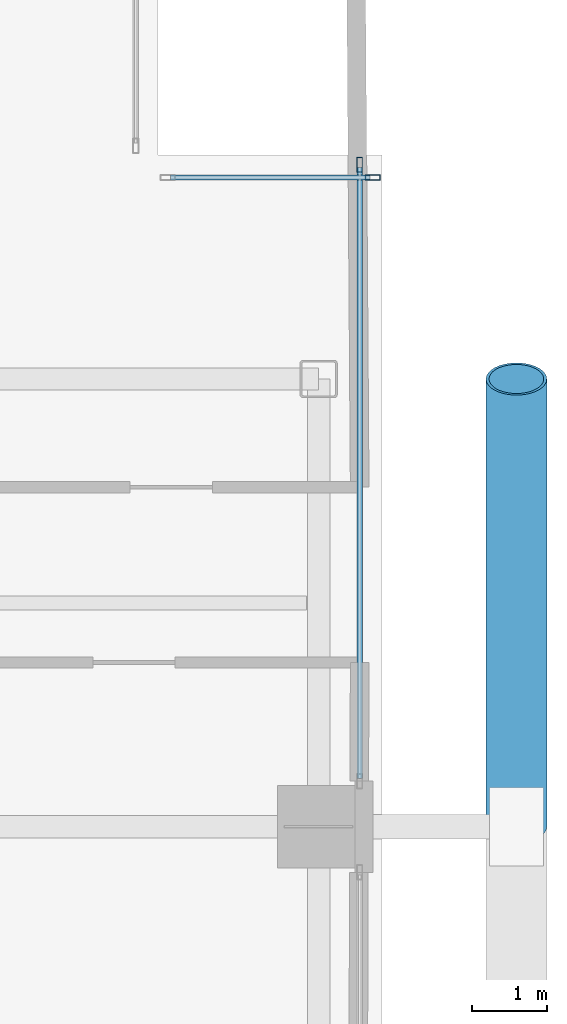
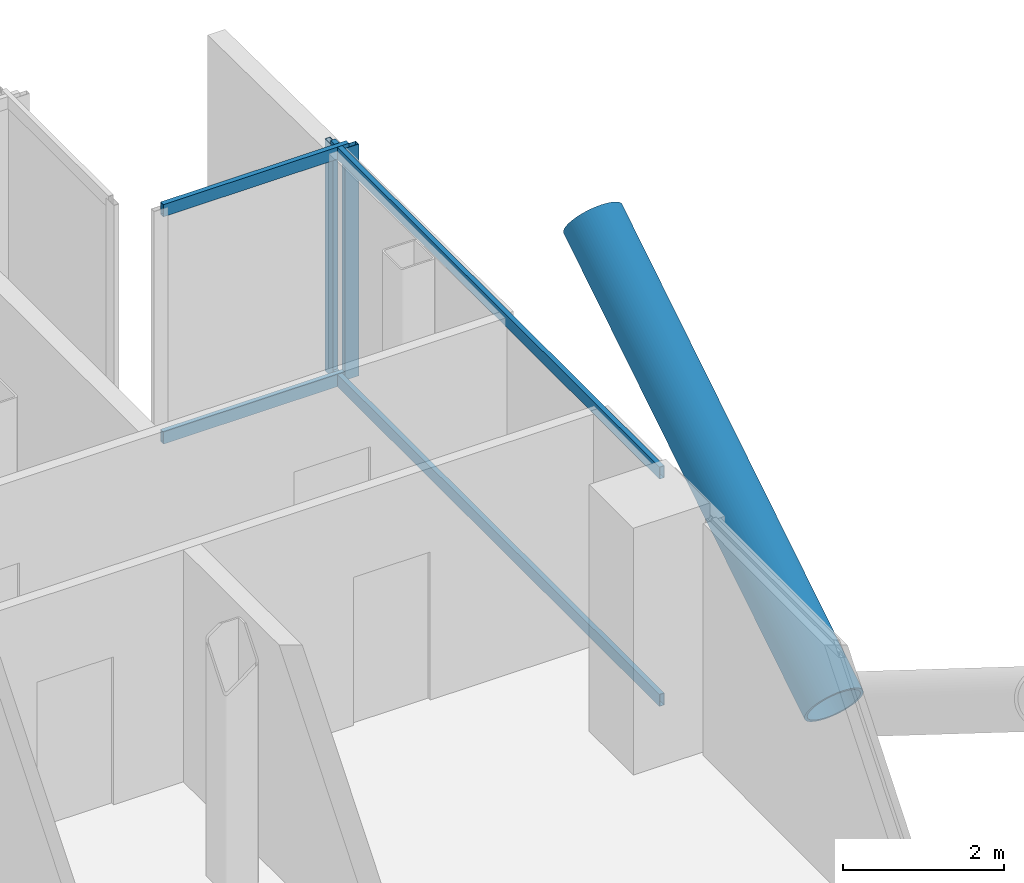
# One storey, part 13 of 24: 7 members, 2 elements without a shape of their own.
"""IFC4 building model written with IfcOpenShell, lengths in metres."""

import ifcopenshell
import ifcopenshell.guid

model = None  # the IFC model being written
_history = None  # IfcOwnerHistory: only IFC2X3 demands one
_inside = {}  # id of a spatial element -> (the spatial element, [elements in it])
_under = {}  # id of a project, library or spatial element -> (it, [spatial elements below it])
_declared = {}  # id of a project -> (the project, [libraries it declares])
_typed = {}  # id of a type object -> (the type object, [elements of that type])
_made_of = {}  # id of a material, layer set ... -> (it, [elements and type objects made of it])


def new_model(schema):
    """Start an empty IFC model of exactly this schema.

    Asked for "IFC4X3", IfcOpenShell would pick the latest addendum, in which some entities
    have other attributes; the version numbers below select the first issue.
    IFC2X3 requires an IfcOwnerHistory on every rooted entity: one is made here for all.
    """
    global model, _history
    if schema == "IFC4X3":
        model = ifcopenshell.file(schema_version=(4, 3, 0, 0))
    else:
        model = ifcopenshell.file(schema=schema)
    _inside.clear()
    _under.clear()
    _declared.clear()
    _typed.clear()
    _made_of.clear()
    _history = None
    if model.schema == "IFC2X3":
        org = make("IfcOrganization", Name="unknown")
        user = make(
            "IfcPersonAndOrganization",
            ThePerson=make("IfcPerson", FamilyName="unknown"),
            TheOrganization=org,
        )
        app = make(
            "IfcApplication",
            ApplicationDeveloper=org,
            Version="unknown",
            ApplicationFullName="unknown",
            ApplicationIdentifier="unknown",
        )
        _history = make(
            "IfcOwnerHistory",
            OwningUser=user,
            OwningApplication=app,
            ChangeAction="ADDED",
            CreationDate=0,
        )
    return model


def make(cls, **values):
    """One entity of the class cls with the attributes given. An attribute that is None is left unset."""
    return model.create_entity(
        cls, **{name: value for name, value in values.items() if value is not None}
    )


def rooted(cls, **values):
    """An entity with a GlobalId (a new one), such as an element, a storey or a relation."""
    return make(cls, GlobalId=ifcopenshell.guid.new(), OwnerHistory=_history, **values)


def si_unit(unit_type, name, prefix=None):
    """IfcSIUnit, for example si_unit("LENGTHUNIT", "METRE", prefix="MILLI")."""
    return make("IfcSIUnit", UnitType=unit_type, Prefix=prefix, Name=name)


def assignment(units):
    """IfcUnitAssignment: the units of a project."""
    return None if units is None else make("IfcUnitAssignment", Units=units)


def point(xyz):
    """IfcCartesianPoint."""
    return None if xyz is None else make("IfcCartesianPoint", Coordinates=xyz)


def direction(xyz):
    """IfcDirection."""
    return None if xyz is None else make("IfcDirection", DirectionRatios=xyz)


def frame(location, z_axis=None, x_axis=None):
    """IfcAxis2Placement3D, a coordinate frame: its origin and axes. An axis left out is left unset."""
    return make(
        "IfcAxis2Placement3D",
        Location=point(location),
        Axis=direction(z_axis),
        RefDirection=direction(x_axis),
    )


def frame_2d(location, x_axis=None):
    """IfcAxis2Placement2D, a coordinate frame in the plane: its origin and x axis."""
    return make(
        "IfcAxis2Placement2D", Location=point(location), RefDirection=direction(x_axis)
    )


def origin():
    """The frame at (0, 0, 0) with its axes left unset."""
    return frame((0.0, 0.0, 0.0))


def origin_2d():
    """The frame at (0, 0) in the plane with its x axis left unset."""
    return frame_2d((0.0, 0.0))


def place(relative_to, where):
    """IfcLocalPlacement: puts the frame where relative to a parent placement (None: the world)."""
    return make(
        "IfcLocalPlacement", PlacementRelTo=relative_to, RelativePlacement=where
    )


def context(
    kind, dimensions, precision=None, world=None, true_north=None, identifier=None
):
    """IfcGeometricRepresentationContext, for example the 3D "Model" context."""
    return make(
        "IfcGeometricRepresentationContext",
        ContextIdentifier=identifier,
        ContextType=kind,
        CoordinateSpaceDimension=dimensions,
        Precision=precision,
        WorldCoordinateSystem=world,
        TrueNorth=true_north,
    )


def subcontext(parent, identifier, kind, view, scale=None):
    """IfcGeometricRepresentationSubContext, for example "Body" below "Model"."""
    return make(
        "IfcGeometricRepresentationSubContext",
        ContextIdentifier=identifier,
        ContextType=kind,
        ParentContext=parent,
        TargetScale=scale,
        TargetView=view,
    )


def project(units=None, contexts=None):
    """IfcProject with its units and contexts."""
    return rooted(
        "IfcProject",
        Name="project",
        RepresentationContexts=contexts,
        UnitsInContext=assignment(units),
    )


def spatial(cls, under=None, at=None, **own):
    """A site, building, storey or space (cls), placed at a placement, below another one or the project."""
    s = rooted(cls, ObjectPlacement=at, **own)
    if under is not None:
        _under.setdefault(under.id(), (under, []))[1].append(s)
    return s


def profile(cls, at=None, kind="AREA", **sizes):
    """A parametric profile (cls). Its sizes go by their IFC names, for example OverallWidth=200.0."""
    return make(cls, ProfileType=kind, Position=at, **sizes)


def hollow_rectangle(**sizes):
    """IfcRectangleHollowProfileDef."""
    return profile("IfcRectangleHollowProfileDef", **sizes)


def hollow_circle(**sizes):
    """IfcCircleHollowProfileDef."""
    return profile("IfcCircleHollowProfileDef", **sizes)


def extrude(swept, where, along, depth):
    """IfcExtrudedAreaSolid: the profile swept, set in the frame where, extruded along a direction by depth."""
    return make(
        "IfcExtrudedAreaSolid",
        SweptArea=swept,
        Position=where,
        ExtrudedDirection=direction(along),
        Depth=depth,
    )


def shape(context_of_items, identifier, shape_type, items):
    """IfcShapeRepresentation: the items that make up one representation, for example the "Body"."""
    return make(
        "IfcShapeRepresentation",
        ContextOfItems=context_of_items,
        RepresentationIdentifier=identifier,
        RepresentationType=shape_type,
        Items=items,
    )


def material(Name=None, Category=None):
    """IfcMaterial."""
    return make("IfcMaterial", Name=Name, Category=Category)


def layer(
    of_material, thickness, ventilated=None, Name=None, Category=None, Priority=None
):
    """IfcMaterialLayer: one layer of a wall or slab, of a material (None: an air gap)."""
    return make(
        "IfcMaterialLayer",
        Material=of_material,
        LayerThickness=thickness,
        IsVentilated=ventilated,
        Name=Name,
        Category=Category,
        Priority=Priority,
    )


def layer_set(layers, Name=None):
    """IfcMaterialLayerSet."""
    return make("IfcMaterialLayerSet", MaterialLayers=layers, LayerSetName=Name)


def material_profile(
    of_material, cross_section, Name=None, Category=None, Priority=None
):
    """IfcMaterialProfile: a cross section and its material."""
    return make(
        "IfcMaterialProfile",
        Name=Name,
        Material=of_material,
        Profile=cross_section,
        Priority=Priority,
        Category=Category,
    )


def profile_set(profiles, Name=None, composite=None):
    """IfcMaterialProfileSet."""
    return make(
        "IfcMaterialProfileSet",
        Name=Name,
        MaterialProfiles=profiles,
        CompositeProfile=composite,
    )


def made_of(thing, what):
    """Note that an element or type object is made of a material, layer set ...; save() writes the relation."""
    if what is not None:
        _made_of.setdefault(what.id(), (what, []))[1].append(thing)
    return thing


def type_object(cls, material=None, **own):
    """A type object (cls), such as IfcWallType, which elements share."""
    return made_of(rooted(cls, **own), material)


def element(
    cls,
    number,
    at=None,
    inside=None,
    cuts=None,
    type_object=None,
    material=None,
    context=None,
    identifier="Body",
    shape_type=None,
    held_by="IfcProductDefinitionShape",
    body=None,
    shapes=None,
    **own,
):
    """One element of the class cls, such as IfcWall. Its Tag is "e" and its number.

    at: its placement. inside: the storey or other place that contains it. cuts: it is an
    opening in that element (IfcRelVoidsElement). A single representation is given by context,
    identifier, shape_type and body (its items); several are given by shapes. held_by: the class
    of the entity that holds the representations. save() writes the other relations.
    """
    e = rooted(cls, Tag="e%d" % number, ObjectPlacement=at, **own)
    if body is not None:
        shapes = [shape(context, identifier, shape_type, body)]
    if shapes is not None:
        e.Representation = make(held_by, Representations=shapes)
    if inside is not None:
        _inside.setdefault(inside.id(), (inside, []))[1].append(e)
    if cuts is not None:
        rooted(
            "IfcRelVoidsElement", RelatingBuildingElement=cuts, RelatedOpeningElement=e
        )
    if type_object is not None:
        _typed.setdefault(type_object.id(), (type_object, []))[1].append(e)
    return made_of(e, material)


def aggregate(whole, parts):
    """IfcRelAggregates: a whole, such as a stair, and the parts it consists of."""
    return rooted("IfcRelAggregates", RelatingObject=whole, RelatedObjects=parts)


def save(model, path):
    """Write the relations noted so far, then the file.

    IfcRelAggregates (storeys below a building ...), IfcRelContainedInSpatialStructure (elements
    in a storey), IfcRelDefinesByType, IfcRelAssociatesMaterial and IfcRelDeclares: one each for
    every whole, place, type object, material and project.
    """
    for whole, parts in _under.values():
        aggregate(whole, parts)
    for where, things in _inside.values():
        rooted(
            "IfcRelContainedInSpatialStructure",
            RelatedElements=things,
            RelatingStructure=where,
        )
    for kind, things in _typed.values():
        rooted("IfcRelDefinesByType", RelatedObjects=things, RelatingType=kind)
    for what, things in _made_of.values():
        rooted("IfcRelAssociatesMaterial", RelatedObjects=things, RelatingMaterial=what)
    for by, libraries in _declared.values():
        rooted("IfcRelDeclares", RelatingContext=by, RelatedDefinitions=libraries)
    model.write(path)


model = new_model("IFC4")

# Units and contexts
model_context = context("Model", 3, precision=1e-05, world=origin(), true_north=direction((0.0, 1.0)))
body_context = subcontext(model_context, "Body", "Model", "MODEL_VIEW")
ifc_project = project(units=[si_unit("LENGTHUNIT", "METRE"), si_unit("AREAUNIT", "SQUARE_METRE"), si_unit("VOLUMEUNIT", "CUBIC_METRE"), si_unit("PLANEANGLEUNIT", "RADIAN"), si_unit("MASSUNIT", "GRAM", prefix="KILO"), si_unit("THERMODYNAMICTEMPERATUREUNIT", "KELVIN"), si_unit("POWERUNIT", "WATT")], contexts=[model_context])

# Site, building, storey
site_placement = place(None, origin())
site = spatial("IfcSite", under=ifc_project, at=site_placement, CompositionType="ELEMENT")
building_placement = place(site_placement, origin())
building = spatial("IfcBuilding", under=site, at=building_placement, Name="Svarakhadi Broadcast Tower", CompositionType="ELEMENT")
storey_placement = place(building_placement, frame((0.0, 0.0, 130.64990234375)))
storey = spatial("IfcBuildingStorey", under=building, at=storey_placement, Name="L31", CompositionType="ELEMENT", Elevation=130.64990234375)

# Curtain wall, member
ifc_material_1 = material(Name="Anodised Bronze Aluminium AA 6063-T6", Category="aluminium")
ifc_layer = layer(ifc_material_1, 0.199951171875)
ifc_layer_set = layer_set([ifc_layer], Name="Anodised Bronze Aluminium AA 6063-T6")
curtain_wall_type = type_object("IfcCurtainWallType", Name="CW_Sys_03", PredefinedType="NOTDEFINED", material=ifc_layer_set)
curtain_wall_1_placement = place(storey_placement, origin())
curtain_wall_1 = element("IfcCurtainWall", 1, at=curtain_wall_1_placement, inside=storey, type_object=curtain_wall_type, Name="L31 Unitised Facade Curtain Wall 12", PredefinedType="NOTDEFINED")
ifc_material_profile_1 = material_profile(ifc_material_1, hollow_rectangle(XDim=0.074951171875, YDim=0.199951171875, WallThickness=0.005615234375, at=origin_2d()), Name="ALU MULLION 200x75x6")
ifc_profile_set_1 = profile_set([ifc_material_profile_1], Name="Anodised Bronze Aluminium AA 6063-T6")
member_type_1 = type_object("IfcMemberType", Name="CW_Sys_03_Mul", PredefinedType="MULLION", material=ifc_profile_set_1)
member_1_placement = place(storey_placement, frame((47.87255859375, 20.699951171875, 0.0), z_axis=(0.0, 0.0, 1.0), x_axis=(0.0, 1.0, 0.0)))
member_1 = element("IfcMember", 2, at=member_1_placement, type_object=member_type_1, Name="CW-03 mullion 2", PredefinedType="MULLION", context=body_context, shape_type="SweptSolid", body=[
    extrude(hollow_rectangle(XDim=0.074951171875, YDim=0.199951171875, WallThickness=0.005615234375, at=origin_2d()), origin(), (0.0, 0.0, 1.0), 3.525146484375),
])

curtain_wall_2_placement = place(storey_placement, origin())
curtain_wall_2 = element("IfcCurtainWall", 3, at=curtain_wall_2_placement, inside=storey, type_object=curtain_wall_type, Name="L31 Unitised Facade Curtain Wall 13 Bay 1", PredefinedType="NOTDEFINED")
member_2_placement = place(storey_placement, frame((47.699951171875, 20.87255859375, 0.0), z_axis=(0.0, 0.0, 1.0), x_axis=(1.0, 0.0, 0.0)))
member_2 = element("IfcMember", 4, at=member_2_placement, type_object=member_type_1, Name="CW-03 mullion 1", PredefinedType="MULLION", context=body_context, shape_type="SweptSolid", body=[
    extrude(hollow_rectangle(XDim=0.074951171875, YDim=0.199951171875, WallThickness=0.005615234375, at=origin_2d()), origin(), (0.0, 0.0, 1.0), 3.525146484375),
])

# Member
ifc_material_profile_2 = material_profile(ifc_material_1, hollow_rectangle(XDim=0.070068359375, YDim=0.18505859375, WallThickness=0.0048828125, at=origin_2d()), Name="ALU TRANSOM 185x70x5")
ifc_profile_set_2 = profile_set([ifc_material_profile_2], Name="Anodised Bronze Aluminium AA 6063-T6")
member_type_2 = type_object("IfcMemberType", Name="CW_Sys_03_Trn", PredefinedType="USERDEFINED", material=ifc_profile_set_2)
member_3_placement = place(storey_placement, frame((45.1650390625, 20.699951171875, 0.03515625), z_axis=(1.0, 0.0, 0.0), x_axis=(0.0, 1.0, 0.0)))
member_3 = element("IfcMember", 5, at=member_3_placement, type_object=member_type_2, Name="CW-03 transom 1.1", ObjectType="TRANSOM", PredefinedType="USERDEFINED", context=body_context, shape_type="SweptSolid", body=[
    extrude(hollow_rectangle(XDim=0.070068359375, YDim=0.18505859375, WallThickness=0.0048828125, at=origin_2d()), origin(), (0.0, 0.0, 1.0), 2.669921875),
])

member_4_placement = place(storey_placement, frame((45.1650390625, 20.699951171875, 3.489990234375), z_axis=(1.0, 0.0, 0.0), x_axis=(0.0, 1.0, 0.0)))
member_4 = element("IfcMember", 6, at=member_4_placement, type_object=member_type_2, Name="CW-03 transom 1.2", ObjectType="TRANSOM", PredefinedType="USERDEFINED", context=body_context, shape_type="SweptSolid", body=[
    extrude(hollow_rectangle(XDim=0.070068359375, YDim=0.18505859375, WallThickness=0.0048828125, at=origin_2d()), origin(), (0.0, 0.0, 1.0), 2.669921875),
])

aggregate(curtain_wall_1, [member_1, member_3, member_4])

member_5_placement = place(storey_placement, frame((47.699951171875, 20.8349609375, 0.03515625), z_axis=(0.0, -1.0, 0.0), x_axis=(1.0, 0.0, 0.0)))
member_5 = element("IfcMember", 7, at=member_5_placement, type_object=member_type_2, Name="CW-03 transom 1.1", ObjectType="TRANSOM", PredefinedType="USERDEFINED", context=body_context, shape_type="SweptSolid", body=[
    extrude(hollow_rectangle(XDim=0.070068359375, YDim=0.18505859375, WallThickness=0.0048828125, at=origin_2d()), origin(), (0.0, 0.0, 1.0), 8.18994140625),
])

member_6_placement = place(storey_placement, frame((47.699951171875, 20.8349609375, 3.489990234375), z_axis=(0.0, -1.0, 0.0), x_axis=(1.0, 0.0, 0.0)))
member_6 = element("IfcMember", 8, at=member_6_placement, type_object=member_type_2, Name="CW-03 transom 1.2", ObjectType="TRANSOM", PredefinedType="USERDEFINED", context=body_context, shape_type="SweptSolid", body=[
    extrude(hollow_rectangle(XDim=0.070068359375, YDim=0.18505859375, WallThickness=0.0048828125, at=origin_2d()), origin(), (0.0, 0.0, 1.0), 8.18994140625),
])

aggregate(curtain_wall_2, [member_2, member_5, member_6])

ifc_material_2 = material(Name="Steel S460ML (IS 2062 E450BR)", Category="steel")
ifc_material_profile_3 = material_profile(ifc_material_2, hollow_circle(Radius=0.406494140625, WallThickness=0.0400390625, at=origin_2d()), Name="CHS 813x40")
ifc_profile_set_3 = profile_set([ifc_material_profile_3], Name="Steel S460ML (IS 2062 E450BR)")
member_type_3 = type_object("IfcMemberType", Name="Exo_Brace_CHS813", PredefinedType="BRACE", material=ifc_profile_set_3)
member_7_placement = place(storey_placement, frame((49.800048828125, 12.0, -0.386962890625), z_axis=(0.0, 0.847998304005, 0.529998940003), x_axis=(-1.0, 0.0, 0.0)))
element("IfcMember", 9, at=member_7_placement, inside=storey, type_object=member_type_3, Name="L31 Exposed Bronze Exoskeleton Diagonal E07", PredefinedType="BRACE", context=body_context, shape_type="SweptSolid", body=[
    extrude(hollow_circle(Radius=0.406494140625, WallThickness=0.0400390625, at=origin_2d()), origin(), (0.0, 0.0, 1.0), 7.075439453125),
])

save(model, "model.ifc")
